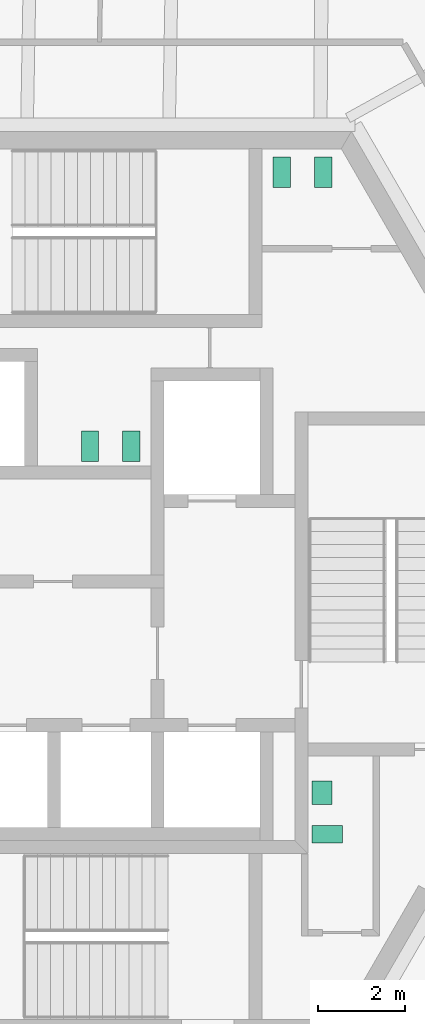
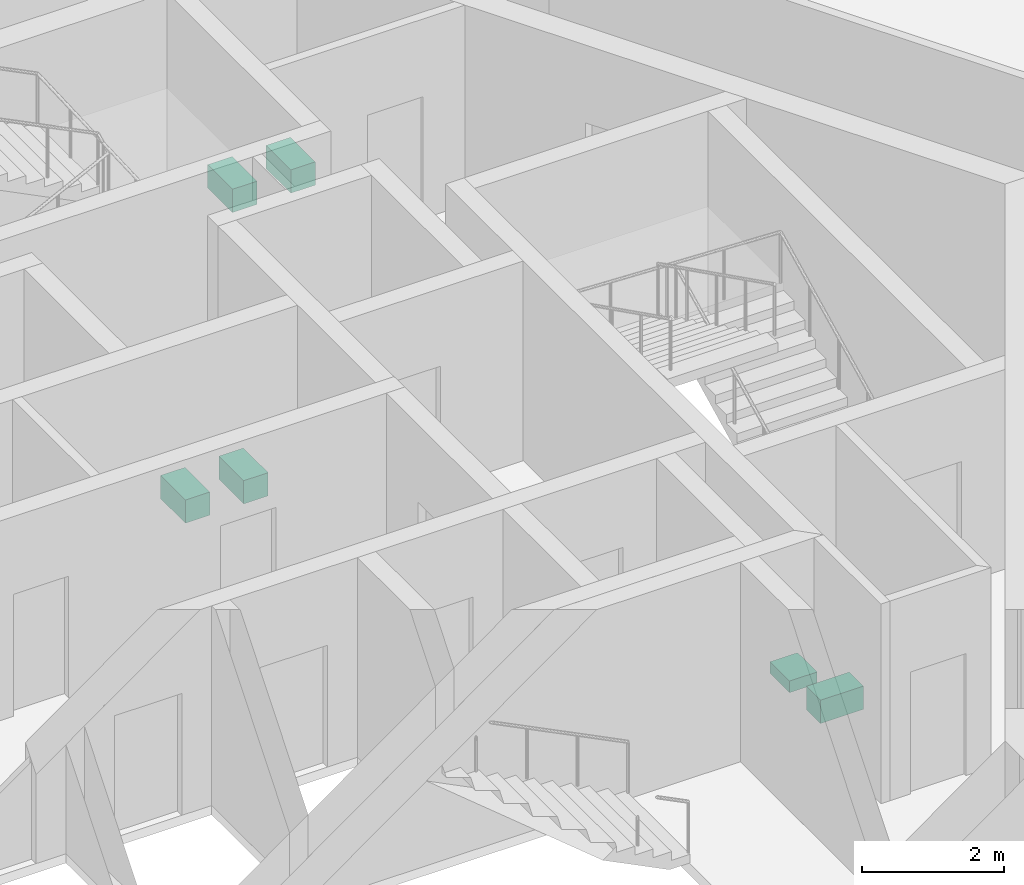
# One storey, part 16 of 18: 6 sanitary terminals.
"""IFC4 building model written with IfcOpenShell, lengths in metres."""

from ifc_helpers import new_model, si_unit, direction, frame, origin, origin_2d, place, context, subcontext, project, spatial, rectangle, extrude, source, transform, mapped, material, element, save


model = new_model("IFC4")

# Units and contexts
model_context = context("Model", 3, precision=1e-05, world=origin(), true_north=direction((0.0, 1.0)))
body_context = subcontext(model_context, "Body", "Model", "MODEL_VIEW")
ifc_project = project(units=[si_unit("LENGTHUNIT", "METRE"), si_unit("AREAUNIT", "SQUARE_METRE"), si_unit("VOLUMEUNIT", "CUBIC_METRE"), si_unit("PLANEANGLEUNIT", "RADIAN"), si_unit("MASSUNIT", "GRAM", prefix="KILO")], contexts=[model_context])

# Site, building, storey
site_placement = place(None, origin())
site = spatial("IfcSite", under=ifc_project, at=site_placement, CompositionType="ELEMENT")
building_placement = place(site_placement, origin())
building = spatial("IfcBuilding", under=site, at=building_placement, Name="Triune Harvest Tower", CompositionType="ELEMENT")
storey_placement = place(building_placement, frame((0.0, 0.0, 197.89990234375)))
storey = spatial("IfcBuildingStorey", under=building, at=storey_placement, Name="L51", CompositionType="ELEMENT", Elevation=197.89990234375)

# Sanitary terminals
ifc_material = material(Name="Vitreous china")
shared_shape_1 = source(origin(), body_context, "Body", "SweptSolid", [
    extrude(rectangle(XDim=0.39990234375, YDim=0.699951171875, at=origin_2d()), origin(), (0.0, 0.0, 1.0), 0.39990234375),
])
for number, where, z_axis, x_axis, name in (
    (1, (4.39990234375, 9.449951171875, 0.000244140625), (0.0, 0.0, 1.0), (1.0, 0.0, 0.0), "Toilet pan L51.c01"),
    (2, (5.35009765625, 9.449951171875, 0.000244140625), (0.0, 0.0, 1.0), (1.0, 0.0, 0.0), "Toilet pan L51.c02"),
    (3, (0.949951171875, 3.159912109375, 0.000244140625), (0.0, 0.0, 1.0), (-1.0, 0.0, 0.0), "Toilet pan L51.c03"),
    (4, (0.0, 3.159912109375, 0.000244140625), (0.0, 0.0, 1.0), (-1.0, 0.0, 0.0), "Toilet pan L51.c04"),
    (5, (5.449951171875, -5.739990234375, 0.000244140625), (0.0, 0.0, 1.0), (0.0, 1.0, 0.0), "Toilet pan L51.c05"),
):
    element("IfcSanitaryTerminal", number, at=place(storey_placement, frame(where, z_axis=z_axis, x_axis=x_axis)), inside=storey, material=ifc_material, Name=name, PredefinedType="TOILETPAN", context=body_context, shape_type="MappedRepresentation", body=[
        mapped(shared_shape_1, transform((0.0, 0.0, 0.0), scale=1.0)),
    ])
shared_shape_2 = source(origin(), body_context, "Body", "SweptSolid", [
    extrude(rectangle(XDim=0.550048828125, YDim=0.449951171875, at=origin_2d()), origin(), (0.0, 0.0, 1.0), 0.199951171875),
])
sanitary_terminal_placement = place(storey_placement, frame((5.324951171875, -4.7900390625, 0.0), z_axis=(0.0, 0.0, 1.0), x_axis=(0.0, 1.0, 0.0)))
element("IfcSanitaryTerminal", 6, at=sanitary_terminal_placement, inside=storey, material=ifc_material, Name="Wash basin L51.c06", PredefinedType="WASHHANDBASIN", context=body_context, shape_type="MappedRepresentation", body=[
    mapped(shared_shape_2, transform((0.0, 0.0, 0.0), scale=1.0)),
])

save(model, "model.ifc")
